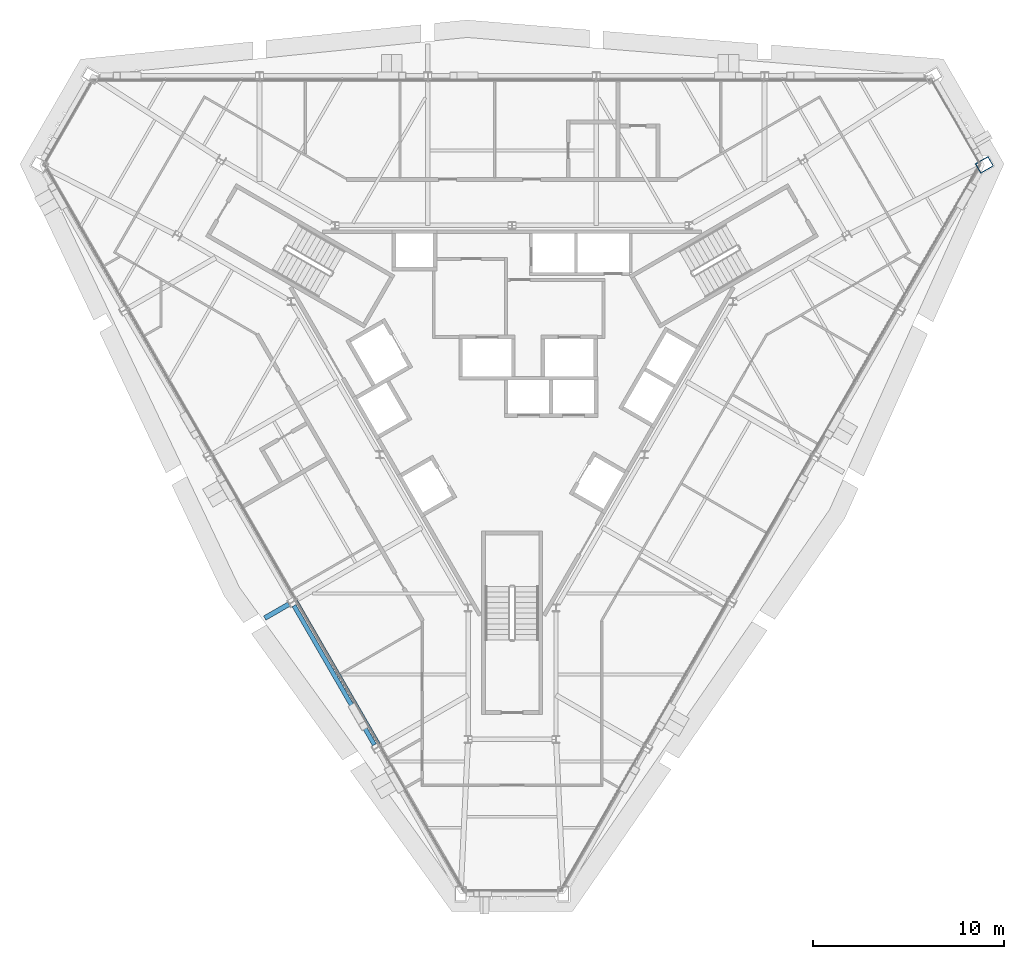
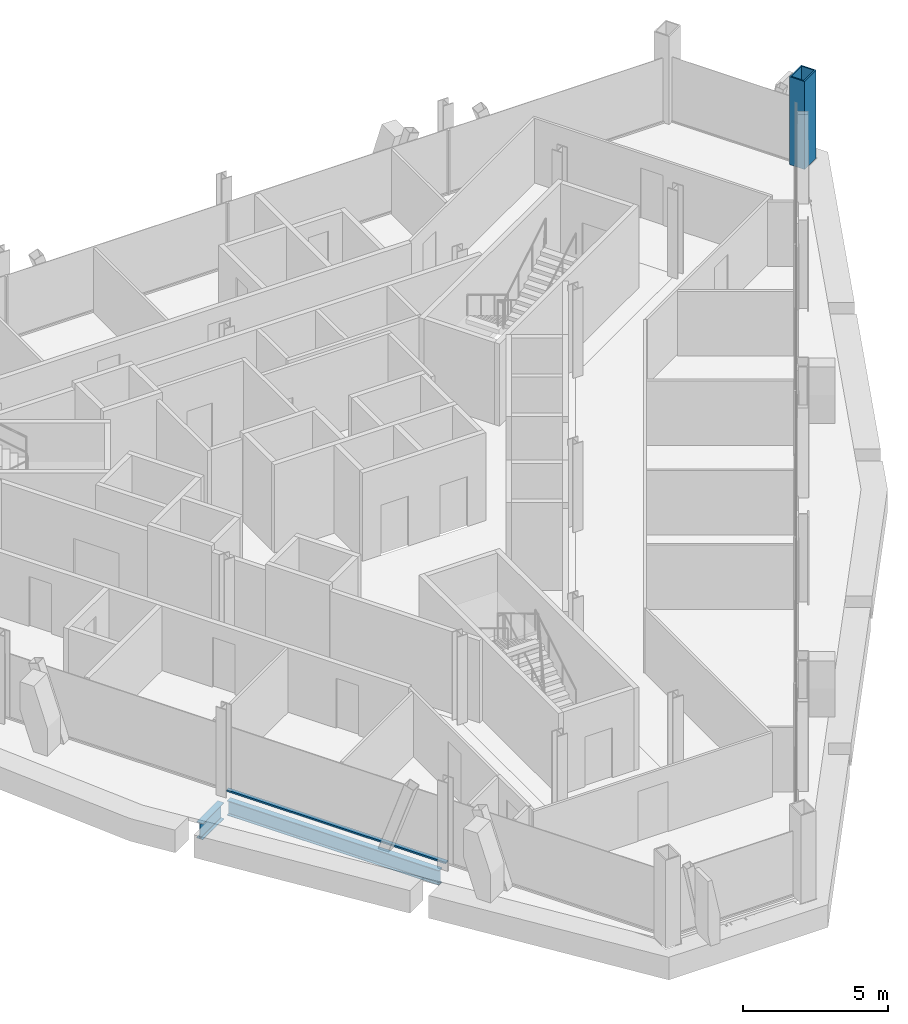
# One storey, part 2 of 14: 2 beams, 1 column, 1 member, 1 element without a shape of its own.
"""IFC4 building model written with IfcOpenShell, lengths in metres."""

import ifcopenshell
import ifcopenshell.guid

model = None  # the IFC model being written
_history = None  # IfcOwnerHistory: only IFC2X3 demands one
_inside = {}  # id of a spatial element -> (the spatial element, [elements in it])
_under = {}  # id of a project, library or spatial element -> (it, [spatial elements below it])
_declared = {}  # id of a project -> (the project, [libraries it declares])
_typed = {}  # id of a type object -> (the type object, [elements of that type])
_made_of = {}  # id of a material, layer set ... -> (it, [elements and type objects made of it])


def new_model(schema):
    """Start an empty IFC model of exactly this schema.

    Asked for "IFC4X3", IfcOpenShell would pick the latest addendum, in which some entities
    have other attributes; the version numbers below select the first issue.
    IFC2X3 requires an IfcOwnerHistory on every rooted entity: one is made here for all.
    """
    global model, _history
    if schema == "IFC4X3":
        model = ifcopenshell.file(schema_version=(4, 3, 0, 0))
    else:
        model = ifcopenshell.file(schema=schema)
    _inside.clear()
    _under.clear()
    _declared.clear()
    _typed.clear()
    _made_of.clear()
    _history = None
    if model.schema == "IFC2X3":
        org = make("IfcOrganization", Name="unknown")
        user = make(
            "IfcPersonAndOrganization",
            ThePerson=make("IfcPerson", FamilyName="unknown"),
            TheOrganization=org,
        )
        app = make(
            "IfcApplication",
            ApplicationDeveloper=org,
            Version="unknown",
            ApplicationFullName="unknown",
            ApplicationIdentifier="unknown",
        )
        _history = make(
            "IfcOwnerHistory",
            OwningUser=user,
            OwningApplication=app,
            ChangeAction="ADDED",
            CreationDate=0,
        )
    return model


def make(cls, **values):
    """One entity of the class cls with the attributes given. An attribute that is None is left unset."""
    return model.create_entity(
        cls, **{name: value for name, value in values.items() if value is not None}
    )


def rooted(cls, **values):
    """An entity with a GlobalId (a new one), such as an element, a storey or a relation."""
    return make(cls, GlobalId=ifcopenshell.guid.new(), OwnerHistory=_history, **values)


def si_unit(unit_type, name, prefix=None):
    """IfcSIUnit, for example si_unit("LENGTHUNIT", "METRE", prefix="MILLI")."""
    return make("IfcSIUnit", UnitType=unit_type, Prefix=prefix, Name=name)


def assignment(units):
    """IfcUnitAssignment: the units of a project."""
    return None if units is None else make("IfcUnitAssignment", Units=units)


def point(xyz):
    """IfcCartesianPoint."""
    return None if xyz is None else make("IfcCartesianPoint", Coordinates=xyz)


def direction(xyz):
    """IfcDirection."""
    return None if xyz is None else make("IfcDirection", DirectionRatios=xyz)


def frame(location, z_axis=None, x_axis=None):
    """IfcAxis2Placement3D, a coordinate frame: its origin and axes. An axis left out is left unset."""
    return make(
        "IfcAxis2Placement3D",
        Location=point(location),
        Axis=direction(z_axis),
        RefDirection=direction(x_axis),
    )


def frame_2d(location, x_axis=None):
    """IfcAxis2Placement2D, a coordinate frame in the plane: its origin and x axis."""
    return make(
        "IfcAxis2Placement2D", Location=point(location), RefDirection=direction(x_axis)
    )


def origin():
    """The frame at (0, 0, 0) with its axes left unset."""
    return frame((0.0, 0.0, 0.0))


def origin_2d():
    """The frame at (0, 0) in the plane with its x axis left unset."""
    return frame_2d((0.0, 0.0))


def place(relative_to, where):
    """IfcLocalPlacement: puts the frame where relative to a parent placement (None: the world)."""
    return make(
        "IfcLocalPlacement", PlacementRelTo=relative_to, RelativePlacement=where
    )


def context(
    kind, dimensions, precision=None, world=None, true_north=None, identifier=None
):
    """IfcGeometricRepresentationContext, for example the 3D "Model" context."""
    return make(
        "IfcGeometricRepresentationContext",
        ContextIdentifier=identifier,
        ContextType=kind,
        CoordinateSpaceDimension=dimensions,
        Precision=precision,
        WorldCoordinateSystem=world,
        TrueNorth=true_north,
    )


def subcontext(parent, identifier, kind, view, scale=None):
    """IfcGeometricRepresentationSubContext, for example "Body" below "Model"."""
    return make(
        "IfcGeometricRepresentationSubContext",
        ContextIdentifier=identifier,
        ContextType=kind,
        ParentContext=parent,
        TargetScale=scale,
        TargetView=view,
    )


def project(units=None, contexts=None):
    """IfcProject with its units and contexts."""
    return rooted(
        "IfcProject",
        Name="project",
        RepresentationContexts=contexts,
        UnitsInContext=assignment(units),
    )


def spatial(cls, under=None, at=None, **own):
    """A site, building, storey or space (cls), placed at a placement, below another one or the project."""
    s = rooted(cls, ObjectPlacement=at, **own)
    if under is not None:
        _under.setdefault(under.id(), (under, []))[1].append(s)
    return s


def profile(cls, at=None, kind="AREA", **sizes):
    """A parametric profile (cls). Its sizes go by their IFC names, for example OverallWidth=200.0."""
    return make(cls, ProfileType=kind, Position=at, **sizes)


def rectangle(**sizes):
    """IfcRectangleProfileDef."""
    return profile("IfcRectangleProfileDef", **sizes)


def hollow_rectangle(**sizes):
    """IfcRectangleHollowProfileDef."""
    return profile("IfcRectangleHollowProfileDef", **sizes)


def i_section(**sizes):
    """IfcIShapeProfileDef."""
    return profile("IfcIShapeProfileDef", **sizes)


def extrude(swept, where, along, depth):
    """IfcExtrudedAreaSolid: the profile swept, set in the frame where, extruded along a direction by depth."""
    return make(
        "IfcExtrudedAreaSolid",
        SweptArea=swept,
        Position=where,
        ExtrudedDirection=direction(along),
        Depth=depth,
    )


def shape(context_of_items, identifier, shape_type, items):
    """IfcShapeRepresentation: the items that make up one representation, for example the "Body"."""
    return make(
        "IfcShapeRepresentation",
        ContextOfItems=context_of_items,
        RepresentationIdentifier=identifier,
        RepresentationType=shape_type,
        Items=items,
    )


def material(Name=None, Category=None):
    """IfcMaterial."""
    return make("IfcMaterial", Name=Name, Category=Category)


def material_profile(
    of_material, cross_section, Name=None, Category=None, Priority=None
):
    """IfcMaterialProfile: a cross section and its material."""
    return make(
        "IfcMaterialProfile",
        Name=Name,
        Material=of_material,
        Profile=cross_section,
        Priority=Priority,
        Category=Category,
    )


def profile_set(profiles, Name=None, composite=None):
    """IfcMaterialProfileSet."""
    return make(
        "IfcMaterialProfileSet",
        Name=Name,
        MaterialProfiles=profiles,
        CompositeProfile=composite,
    )


def made_of(thing, what):
    """Note that an element or type object is made of a material, layer set ...; save() writes the relation."""
    if what is not None:
        _made_of.setdefault(what.id(), (what, []))[1].append(thing)
    return thing


def type_object(cls, material=None, **own):
    """A type object (cls), such as IfcWallType, which elements share."""
    return made_of(rooted(cls, **own), material)


def element(
    cls,
    number,
    at=None,
    inside=None,
    cuts=None,
    type_object=None,
    material=None,
    context=None,
    identifier="Body",
    shape_type=None,
    held_by="IfcProductDefinitionShape",
    body=None,
    shapes=None,
    **own,
):
    """One element of the class cls, such as IfcWall. Its Tag is "e" and its number.

    at: its placement. inside: the storey or other place that contains it. cuts: it is an
    opening in that element (IfcRelVoidsElement). A single representation is given by context,
    identifier, shape_type and body (its items); several are given by shapes. held_by: the class
    of the entity that holds the representations. save() writes the other relations.
    """
    e = rooted(cls, Tag="e%d" % number, ObjectPlacement=at, **own)
    if body is not None:
        shapes = [shape(context, identifier, shape_type, body)]
    if shapes is not None:
        e.Representation = make(held_by, Representations=shapes)
    if inside is not None:
        _inside.setdefault(inside.id(), (inside, []))[1].append(e)
    if cuts is not None:
        rooted(
            "IfcRelVoidsElement", RelatingBuildingElement=cuts, RelatedOpeningElement=e
        )
    if type_object is not None:
        _typed.setdefault(type_object.id(), (type_object, []))[1].append(e)
    return made_of(e, material)


def aggregate(whole, parts):
    """IfcRelAggregates: a whole, such as a stair, and the parts it consists of."""
    return rooted("IfcRelAggregates", RelatingObject=whole, RelatedObjects=parts)


def save(model, path):
    """Write the relations noted so far, then the file.

    IfcRelAggregates (storeys below a building ...), IfcRelContainedInSpatialStructure (elements
    in a storey), IfcRelDefinesByType, IfcRelAssociatesMaterial and IfcRelDeclares: one each for
    every whole, place, type object, material and project.
    """
    for whole, parts in _under.values():
        aggregate(whole, parts)
    for where, things in _inside.values():
        rooted(
            "IfcRelContainedInSpatialStructure",
            RelatedElements=things,
            RelatingStructure=where,
        )
    for kind, things in _typed.values():
        rooted("IfcRelDefinesByType", RelatedObjects=things, RelatingType=kind)
    for what, things in _made_of.values():
        rooted("IfcRelAssociatesMaterial", RelatedObjects=things, RelatingMaterial=what)
    for by, libraries in _declared.values():
        rooted("IfcRelDeclares", RelatingContext=by, RelatedDefinitions=libraries)
    model.write(path)


model = new_model("IFC4")

# Units and contexts
model_context = context("Model", 3, precision=1e-05, world=origin(), true_north=direction((0.0, 1.0)))
body_context = subcontext(model_context, "Body", "Model", "MODEL_VIEW")
ifc_project = project(units=[si_unit("LENGTHUNIT", "METRE"), si_unit("AREAUNIT", "SQUARE_METRE"), si_unit("VOLUMEUNIT", "CUBIC_METRE"), si_unit("PLANEANGLEUNIT", "RADIAN"), si_unit("MASSUNIT", "GRAM", prefix="KILO")], contexts=[model_context])

# Site, building, storey
site_placement = place(None, origin())
site = spatial("IfcSite", under=ifc_project, at=site_placement, CompositionType="ELEMENT")
building_placement = place(site_placement, origin())
building = spatial("IfcBuilding", under=site, at=building_placement, Name="Verrane Prism Tower", CompositionType="ELEMENT")
storey_placement = place(building_placement, frame((0.0, 0.0, 224.89990234375)))
storey = spatial("IfcBuildingStorey", under=building, at=storey_placement, Name="L56", CompositionType="ELEMENT", Elevation=224.89990234375)

# Column
ifc_material_1 = material(Name="Steel A572 Grade 50", Category="steel")
ifc_material_profile_1 = material_profile(ifc_material_1, hollow_rectangle(XDim=0.60009765625, YDim=0.800048828125, WallThickness=0.050048828125, at=origin_2d()), Name="BOX 800x600x50")
ifc_profile_set_1 = profile_set([ifc_material_profile_1], Name="Steel A572 Grade 50")
column_type = type_object("IfcColumnType", Name="Megacolumn BOX 800x600x50", PredefinedType="COLUMN", material=ifc_profile_set_1)
column_placement = place(storey_placement, frame((24.719970703125, 11.159912109375, 0.0), z_axis=(0.0, 0.0, 1.0), x_axis=(0.5, -0.866025403784, 0.0)))
element("IfcColumn", 1, at=column_placement, inside=storey, type_object=column_type, Name="Megacolumn MC-NE.a L56", PredefinedType="COLUMN", context=body_context, shape_type="SweptSolid", body=[
    extrude(hollow_rectangle(XDim=0.60009765625, YDim=0.800048828125, WallThickness=0.050048828125, at=origin_2d()), origin(), (0.0, 0.0, 1.0), 3.7001953125),
])

# Beams
ifc_material_2 = material(Name="Steel A992", Category="steel")
ifc_material_profile_2 = material_profile(ifc_material_2, i_section(OverallWidth=0.25390625, OverallDepth=0.683349609375, WebThickness=0.012451171875, FlangeThickness=0.01904296875, FilletRadius=0.01513671875, at=origin_2d()), Name="W27x94")
ifc_profile_set_2 = profile_set([ifc_material_profile_2], Name="Steel A992")
beam_type_1 = type_object("IfcBeamType", Name="Radial girder W27x94", PredefinedType="BEAM", material=ifc_profile_set_2)
beam_1_placement = place(storey_placement, frame((-11.67919921875, -11.82763671875, -0.5615234375), z_axis=(-0.865987565159, -0.500065532695, 0.0), x_axis=(0.500065532695, -0.865987565159, 0.0)))
element("IfcBeam", 2, at=beam_1_placement, inside=storey, type_object=beam_type_1, Name="Cantilever girder L56", PredefinedType="BEAM", context=body_context, shape_type="SweptSolid", body=[
    extrude(i_section(OverallWidth=0.25390625, OverallDepth=0.683349609375, WebThickness=0.012451171875, FlangeThickness=0.01904296875, FilletRadius=0.01513671875, at=origin_2d()), origin(), (0.0, 0.0, 1.0), 1.457763671875),
])
ifc_material_3 = material(Name="Steel A992", Category="steel")
ifc_material_profile_3 = material_profile(ifc_material_3, i_section(OverallWidth=0.23046875, OverallDepth=0.6171875, WebThickness=0.01318359375, FlangeThickness=0.022216796875, FilletRadius=0.012939453125, at=origin_2d()), Name="W24x94")
ifc_profile_set_3 = profile_set([ifc_material_profile_3], Name="Steel A992")
beam_type_2 = type_object("IfcBeamType", Name="Spandrel beam W24x94", PredefinedType="SPANDREL", material=ifc_profile_set_3)
beam_2_placement = place(storey_placement, frame((-11.40966796875, -11.90380859375, -0.468505859375), z_axis=(0.500418309917, -0.865783757701, 0.0), x_axis=(0.865783757701, 0.500418309917, 0.0)))
element("IfcBeam", 3, at=beam_2_placement, inside=storey, type_object=beam_type_2, Name="Spandrel beam L56", PredefinedType="SPANDREL", context=body_context, shape_type="SweptSolid", body=[
    extrude(i_section(OverallWidth=0.23046875, OverallDepth=0.6171875, WebThickness=0.01318359375, FlangeThickness=0.022216796875, FilletRadius=0.012939453125, at=origin_2d()), origin(), (0.0, 0.0, 1.0), 8.411376953125),
])

# Curtain wall, member
ifc_material_4 = material(Name="Aluminium framed insulated glazing", Category="aluminium")
curtain_wall_type = type_object("IfcCurtainWallType", Name="Curtain wall CW-A 8400 module", PredefinedType="NOTDEFINED", material=ifc_material_4)
curtain_wall_placement = place(storey_placement, origin())
curtain_wall = element("IfcCurtainWall", 4, at=curtain_wall_placement, inside=storey, type_object=curtain_wall_type, Name="Glazed curtain wall south-west face L56", PredefinedType="NOTDEFINED")
ifc_material_5 = material(Name="Aluminium alloy 6063-T6", Category="aluminium")
ifc_material_profile_4 = material_profile(ifc_material_5, rectangle(XDim=0.14990234375, YDim=0.070068359375, at=origin_2d()), Name="Transom 70x150 aluminium")
ifc_profile_set_4 = profile_set([ifc_material_profile_4], Name="Aluminium alloy 6063-T6")
member_type = type_object("IfcMemberType", Name="Transom 70x150 aluminium", PredefinedType="USERDEFINED", material=ifc_profile_set_4)
member_placement = place(storey_placement, frame((-11.298583984375, -11.634033203125, 0.03515625), z_axis=(0.50001192258, -0.86601852017, 0.0), x_axis=(0.86601852017, 0.50001192258, 0.0)))
member = element("IfcMember", 5, at=member_placement, type_object=member_type, Name="CW54.4 transom 4", ObjectType="TRANSOM", PredefinedType="USERDEFINED", context=body_context, shape_type="SweptSolid", body=[
    extrude(rectangle(XDim=0.14990234375, YDim=0.070068359375, at=origin_2d()), origin(), (0.0, 0.0, 1.0), 8.712158203125),
])
aggregate(curtain_wall, [member])

save(model, "model.ifc")
